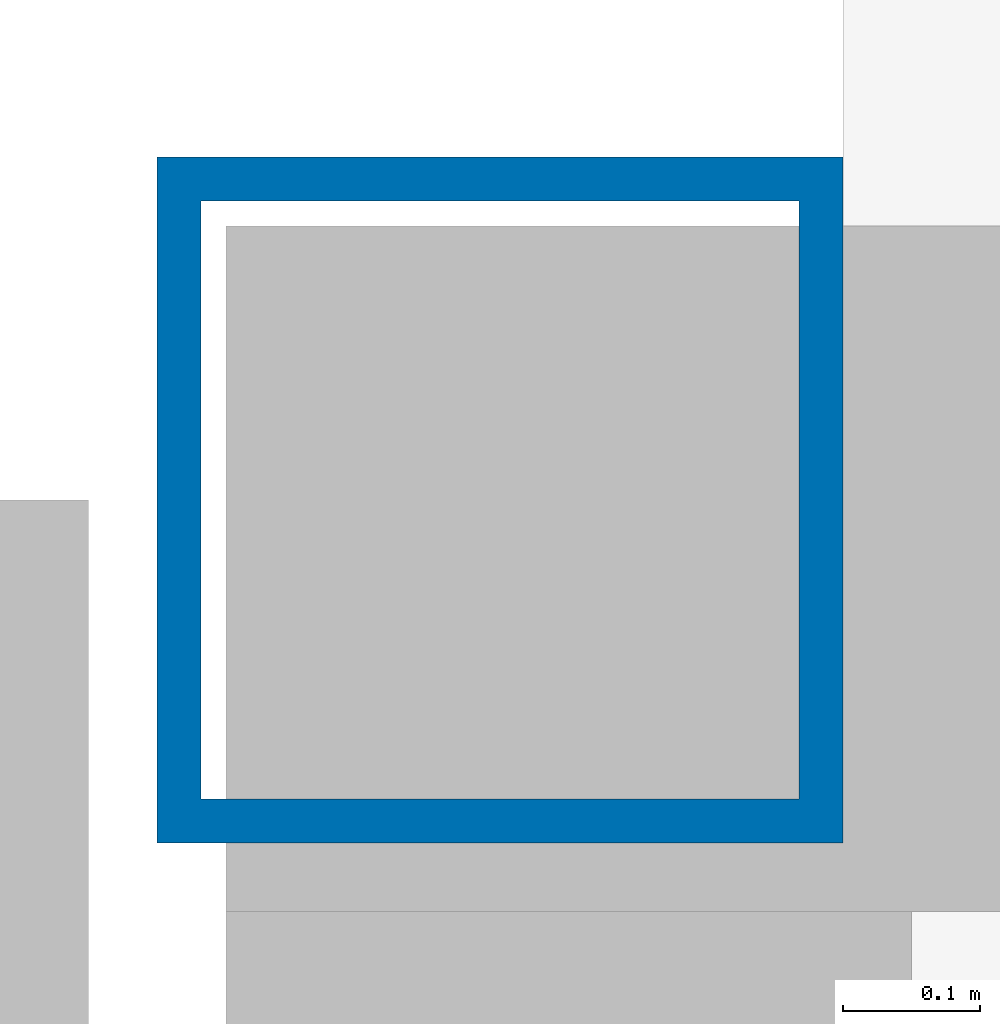
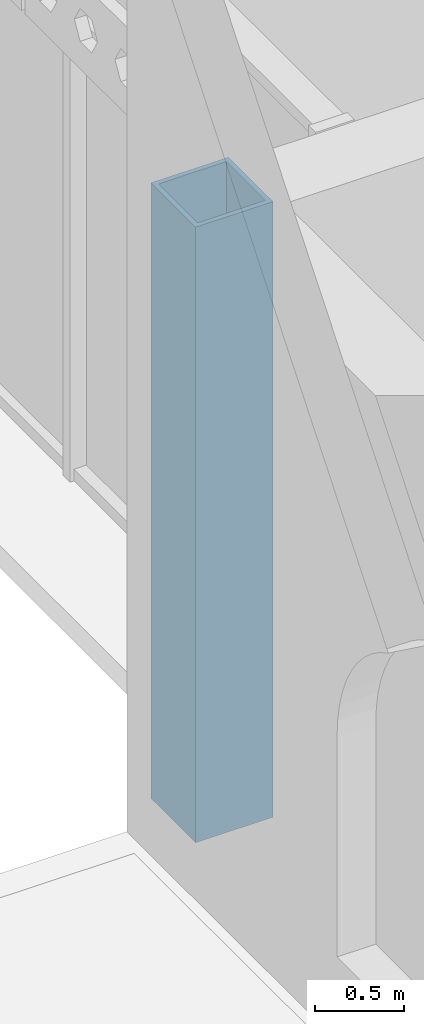
# One storey, part 2 of 153: 1 column.
"""IFC4 building model written with IfcOpenShell, lengths in metres."""

from ifc_helpers import new_model, si_unit, direction, frame, origin, origin_2d, place, context, subcontext, project, spatial, hollow_rectangle, extrude, material, material_profile, profile_set, type_object, element, save


model = new_model("IFC4")

# Units and contexts
model_context = context("Model", 3, precision=1e-05, world=origin(), true_north=direction((0.0, 1.0)))
body_context = subcontext(model_context, "Body", "Model", "MODEL_VIEW")
ifc_project = project(units=[si_unit("LENGTHUNIT", "METRE"), si_unit("AREAUNIT", "SQUARE_METRE"), si_unit("VOLUMEUNIT", "CUBIC_METRE"), si_unit("PLANEANGLEUNIT", "RADIAN"), si_unit("MASSUNIT", "GRAM", prefix="KILO")], contexts=[model_context])

# Site, building, storey
site_placement = place(None, origin())
site = spatial("IfcSite", under=ifc_project, at=site_placement, CompositionType="ELEMENT")
building_placement = place(site_placement, origin())
building = spatial("IfcBuilding", under=site, at=building_placement, Name="Baradari Gate Terminus", CompositionType="ELEMENT")
storey_placement = place(building_placement, frame((0.0, 0.0, 11.699951171875)))
storey = spatial("IfcBuildingStorey", under=building, at=storey_placement, Name="L02", CompositionType="ELEMENT", Elevation=11.699951171875)

# Column
ifc_material = material(Name="Steel S355", Category="steel")
ifc_material_profile = material_profile(ifc_material, hollow_rectangle(XDim=0.5, YDim=0.5, WallThickness=0.031982421875, at=origin_2d()), Name="FB 500x500x32")
ifc_profile_set = profile_set([ifc_material_profile], Name="Steel S355")
column_type = type_object("IfcColumnType", Name="Abutment end post C06 FB 500x500x32", PredefinedType="COLUMN", material=ifc_profile_set)
column_placement = place(storey_placement, frame((72.0, 36.0, 0.0), z_axis=(0.0, 0.0, 1.0), x_axis=(1.0, 0.0, 0.0)))
element("IfcColumn", 1, at=column_placement, inside=storey, type_object=column_type, Name="C06 column 9-E L02", PredefinedType="COLUMN", context=body_context, shape_type="SweptSolid", body=[
    extrude(hollow_rectangle(XDim=0.5, YDim=0.5, WallThickness=0.031982421875, at=origin_2d()), origin(), (0.0, 0.0, 1.0), 4.199951171875),
])

save(model, "model.ifc")
